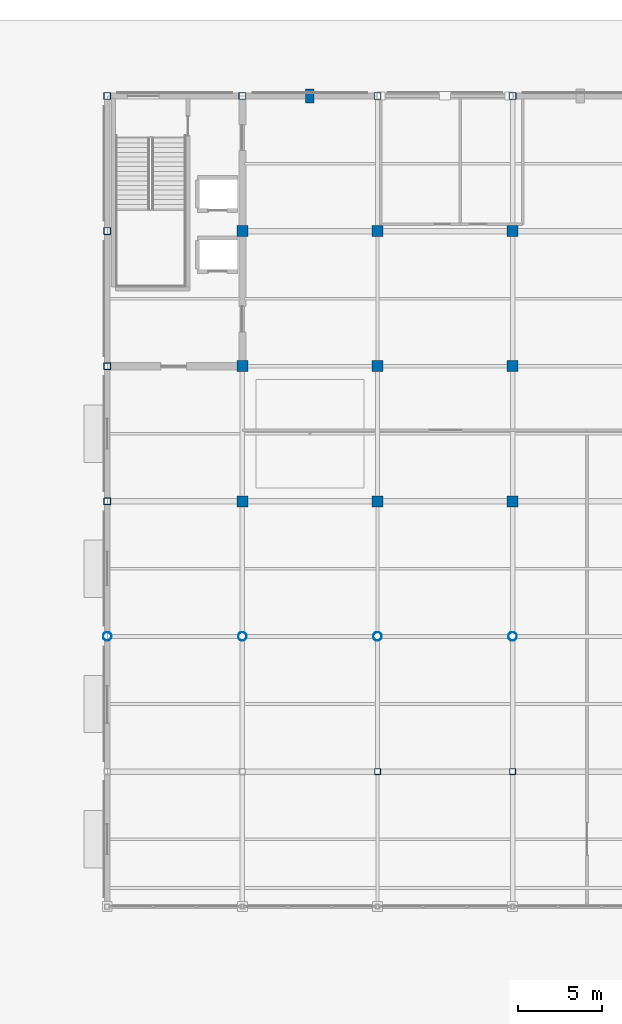
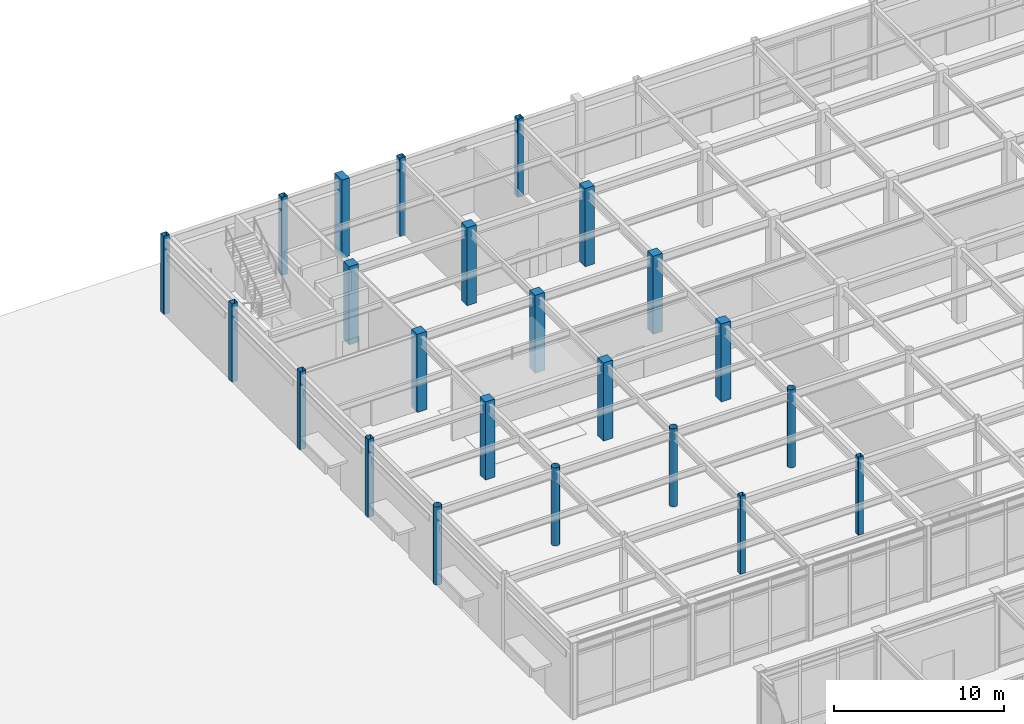
# One storey, part 15 of 128: 23 columns.
"""IFC4 building model written with IfcOpenShell, lengths in metres."""

import ifcopenshell
import ifcopenshell.guid

model = None  # the IFC model being written
_history = None  # IfcOwnerHistory: only IFC2X3 demands one
_inside = {}  # id of a spatial element -> (the spatial element, [elements in it])
_under = {}  # id of a project, library or spatial element -> (it, [spatial elements below it])
_declared = {}  # id of a project -> (the project, [libraries it declares])
_typed = {}  # id of a type object -> (the type object, [elements of that type])
_made_of = {}  # id of a material, layer set ... -> (it, [elements and type objects made of it])


def new_model(schema):
    """Start an empty IFC model of exactly this schema.

    Asked for "IFC4X3", IfcOpenShell would pick the latest addendum, in which some entities
    have other attributes; the version numbers below select the first issue.
    IFC2X3 requires an IfcOwnerHistory on every rooted entity: one is made here for all.
    """
    global model, _history
    if schema == "IFC4X3":
        model = ifcopenshell.file(schema_version=(4, 3, 0, 0))
    else:
        model = ifcopenshell.file(schema=schema)
    _inside.clear()
    _under.clear()
    _declared.clear()
    _typed.clear()
    _made_of.clear()
    _history = None
    if model.schema == "IFC2X3":
        org = make("IfcOrganization", Name="unknown")
        user = make(
            "IfcPersonAndOrganization",
            ThePerson=make("IfcPerson", FamilyName="unknown"),
            TheOrganization=org,
        )
        app = make(
            "IfcApplication",
            ApplicationDeveloper=org,
            Version="unknown",
            ApplicationFullName="unknown",
            ApplicationIdentifier="unknown",
        )
        _history = make(
            "IfcOwnerHistory",
            OwningUser=user,
            OwningApplication=app,
            ChangeAction="ADDED",
            CreationDate=0,
        )
    return model


def make(cls, **values):
    """One entity of the class cls with the attributes given. An attribute that is None is left unset."""
    return model.create_entity(
        cls, **{name: value for name, value in values.items() if value is not None}
    )


def rooted(cls, **values):
    """An entity with a GlobalId (a new one), such as an element, a storey or a relation."""
    return make(cls, GlobalId=ifcopenshell.guid.new(), OwnerHistory=_history, **values)


def si_unit(unit_type, name, prefix=None):
    """IfcSIUnit, for example si_unit("LENGTHUNIT", "METRE", prefix="MILLI")."""
    return make("IfcSIUnit", UnitType=unit_type, Prefix=prefix, Name=name)


def assignment(units):
    """IfcUnitAssignment: the units of a project."""
    return None if units is None else make("IfcUnitAssignment", Units=units)


def point(xyz):
    """IfcCartesianPoint."""
    return None if xyz is None else make("IfcCartesianPoint", Coordinates=xyz)


def direction(xyz):
    """IfcDirection."""
    return None if xyz is None else make("IfcDirection", DirectionRatios=xyz)


def frame(location, z_axis=None, x_axis=None):
    """IfcAxis2Placement3D, a coordinate frame: its origin and axes. An axis left out is left unset."""
    return make(
        "IfcAxis2Placement3D",
        Location=point(location),
        Axis=direction(z_axis),
        RefDirection=direction(x_axis),
    )


def frame_2d(location, x_axis=None):
    """IfcAxis2Placement2D, a coordinate frame in the plane: its origin and x axis."""
    return make(
        "IfcAxis2Placement2D", Location=point(location), RefDirection=direction(x_axis)
    )


def origin():
    """The frame at (0, 0, 0) with its axes left unset."""
    return frame((0.0, 0.0, 0.0))


def origin_2d():
    """The frame at (0, 0) in the plane with its x axis left unset."""
    return frame_2d((0.0, 0.0))


def place(relative_to, where):
    """IfcLocalPlacement: puts the frame where relative to a parent placement (None: the world)."""
    return make(
        "IfcLocalPlacement", PlacementRelTo=relative_to, RelativePlacement=where
    )


def context(
    kind, dimensions, precision=None, world=None, true_north=None, identifier=None
):
    """IfcGeometricRepresentationContext, for example the 3D "Model" context."""
    return make(
        "IfcGeometricRepresentationContext",
        ContextIdentifier=identifier,
        ContextType=kind,
        CoordinateSpaceDimension=dimensions,
        Precision=precision,
        WorldCoordinateSystem=world,
        TrueNorth=true_north,
    )


def subcontext(parent, identifier, kind, view, scale=None):
    """IfcGeometricRepresentationSubContext, for example "Body" below "Model"."""
    return make(
        "IfcGeometricRepresentationSubContext",
        ContextIdentifier=identifier,
        ContextType=kind,
        ParentContext=parent,
        TargetScale=scale,
        TargetView=view,
    )


def project(units=None, contexts=None):
    """IfcProject with its units and contexts."""
    return rooted(
        "IfcProject",
        Name="project",
        RepresentationContexts=contexts,
        UnitsInContext=assignment(units),
    )


def spatial(cls, under=None, at=None, **own):
    """A site, building, storey or space (cls), placed at a placement, below another one or the project."""
    s = rooted(cls, ObjectPlacement=at, **own)
    if under is not None:
        _under.setdefault(under.id(), (under, []))[1].append(s)
    return s


def profile(cls, at=None, kind="AREA", **sizes):
    """A parametric profile (cls). Its sizes go by their IFC names, for example OverallWidth=200.0."""
    return make(cls, ProfileType=kind, Position=at, **sizes)


def rectangle(**sizes):
    """IfcRectangleProfileDef."""
    return profile("IfcRectangleProfileDef", **sizes)


def hollow_rectangle(**sizes):
    """IfcRectangleHollowProfileDef."""
    return profile("IfcRectangleHollowProfileDef", **sizes)


def hollow_circle(**sizes):
    """IfcCircleHollowProfileDef."""
    return profile("IfcCircleHollowProfileDef", **sizes)


def extrude(swept, where, along, depth):
    """IfcExtrudedAreaSolid: the profile swept, set in the frame where, extruded along a direction by depth."""
    return make(
        "IfcExtrudedAreaSolid",
        SweptArea=swept,
        Position=where,
        ExtrudedDirection=direction(along),
        Depth=depth,
    )


def shape(context_of_items, identifier, shape_type, items):
    """IfcShapeRepresentation: the items that make up one representation, for example the "Body"."""
    return make(
        "IfcShapeRepresentation",
        ContextOfItems=context_of_items,
        RepresentationIdentifier=identifier,
        RepresentationType=shape_type,
        Items=items,
    )


def material(Name=None, Category=None):
    """IfcMaterial."""
    return make("IfcMaterial", Name=Name, Category=Category)


def material_profile(
    of_material, cross_section, Name=None, Category=None, Priority=None
):
    """IfcMaterialProfile: a cross section and its material."""
    return make(
        "IfcMaterialProfile",
        Name=Name,
        Material=of_material,
        Profile=cross_section,
        Priority=Priority,
        Category=Category,
    )


def profile_set(profiles, Name=None, composite=None):
    """IfcMaterialProfileSet."""
    return make(
        "IfcMaterialProfileSet",
        Name=Name,
        MaterialProfiles=profiles,
        CompositeProfile=composite,
    )


def made_of(thing, what):
    """Note that an element or type object is made of a material, layer set ...; save() writes the relation."""
    if what is not None:
        _made_of.setdefault(what.id(), (what, []))[1].append(thing)
    return thing


def type_object(cls, material=None, **own):
    """A type object (cls), such as IfcWallType, which elements share."""
    return made_of(rooted(cls, **own), material)


def element(
    cls,
    number,
    at=None,
    inside=None,
    cuts=None,
    type_object=None,
    material=None,
    context=None,
    identifier="Body",
    shape_type=None,
    held_by="IfcProductDefinitionShape",
    body=None,
    shapes=None,
    **own,
):
    """One element of the class cls, such as IfcWall. Its Tag is "e" and its number.

    at: its placement. inside: the storey or other place that contains it. cuts: it is an
    opening in that element (IfcRelVoidsElement). A single representation is given by context,
    identifier, shape_type and body (its items); several are given by shapes. held_by: the class
    of the entity that holds the representations. save() writes the other relations.
    """
    e = rooted(cls, Tag="e%d" % number, ObjectPlacement=at, **own)
    if body is not None:
        shapes = [shape(context, identifier, shape_type, body)]
    if shapes is not None:
        e.Representation = make(held_by, Representations=shapes)
    if inside is not None:
        _inside.setdefault(inside.id(), (inside, []))[1].append(e)
    if cuts is not None:
        rooted(
            "IfcRelVoidsElement", RelatingBuildingElement=cuts, RelatedOpeningElement=e
        )
    if type_object is not None:
        _typed.setdefault(type_object.id(), (type_object, []))[1].append(e)
    return made_of(e, material)


def aggregate(whole, parts):
    """IfcRelAggregates: a whole, such as a stair, and the parts it consists of."""
    return rooted("IfcRelAggregates", RelatingObject=whole, RelatedObjects=parts)


def save(model, path):
    """Write the relations noted so far, then the file.

    IfcRelAggregates (storeys below a building ...), IfcRelContainedInSpatialStructure (elements
    in a storey), IfcRelDefinesByType, IfcRelAssociatesMaterial and IfcRelDeclares: one each for
    every whole, place, type object, material and project.
    """
    for whole, parts in _under.values():
        aggregate(whole, parts)
    for where, things in _inside.values():
        rooted(
            "IfcRelContainedInSpatialStructure",
            RelatedElements=things,
            RelatingStructure=where,
        )
    for kind, things in _typed.values():
        rooted("IfcRelDefinesByType", RelatedObjects=things, RelatingType=kind)
    for what, things in _made_of.values():
        rooted("IfcRelAssociatesMaterial", RelatedObjects=things, RelatingMaterial=what)
    for by, libraries in _declared.values():
        rooted("IfcRelDeclares", RelatingContext=by, RelatedDefinitions=libraries)
    model.write(path)


model = new_model("IFC4")

# Units and contexts
model_context = context("Model", 3, precision=1e-05, world=origin(), true_north=direction((0.0, 1.0)))
body_context = subcontext(model_context, "Body", "Model", "MODEL_VIEW")
ifc_project = project(units=[si_unit("LENGTHUNIT", "METRE"), si_unit("AREAUNIT", "SQUARE_METRE"), si_unit("VOLUMEUNIT", "CUBIC_METRE"), si_unit("PLANEANGLEUNIT", "RADIAN"), si_unit("MASSUNIT", "GRAM", prefix="KILO")], contexts=[model_context])

# Site, building, storey
site_placement = place(None, origin())
site = spatial("IfcSite", under=ifc_project, at=site_placement, CompositionType="ELEMENT")
building_placement = place(site_placement, origin())
building = spatial("IfcBuilding", under=site, at=building_placement, Name="Solmirada Galleria", CompositionType="ELEMENT")
storey_placement = place(building_placement, origin())
storey = spatial("IfcBuildingStorey", under=building, at=storey_placement, Name="L00", CompositionType="ELEMENT", Elevation=0.0)

# Columns
ifc_material_1 = material(Name="Steel S355 / ASTM A500 Grade C", Category="steel")
ifc_material_profile_1 = material_profile(ifc_material_1, hollow_circle(Radius=0.25390625, WallThickness=0.01171875, at=origin_2d()), Name="HSS20.000X0.500")
ifc_profile_set_1 = profile_set([ifc_material_profile_1], Name="Steel S355 / ASTM A500 Grade C")
column_type_1 = type_object("IfcColumnType", Name="COL-CHS20", PredefinedType="COLUMN", material=ifc_profile_set_1)
for number, where, z_axis, x_axis, name in (
    (1, (40.0, 88.0, 0.0), (0.0, 0.0, 1.0), (1.0, 0.0, 0.0), "Structural column L00-0046"),
    (2, (48.0, 88.0, 0.0), (0.0, 0.0, 1.0), (1.0, 0.0, 0.0), "Structural column L00-0113"),
    (3, (56.0, 88.0, 0.0), (0.0, 0.0, 1.0), (1.0, 0.0, 0.0), "Structural column L00-0180"),
    (4, (64.0, 88.0, 0.0), (0.0, 0.0, 1.0), (1.0, 0.0, 0.0), "Structural column L00-0244"),
):
    element("IfcColumn", number, at=place(storey_placement, frame(where, z_axis=z_axis, x_axis=x_axis)), inside=storey, type_object=column_type_1, Name=name, PredefinedType="COLUMN", context=body_context, shape_type="SweptSolid", body=[
        extrude(hollow_circle(Radius=0.25390625, WallThickness=0.01171875, at=origin_2d()), origin(), (0.0, 0.0, 1.0), 5.60009765625),
    ])
ifc_material_profile_2 = material_profile(ifc_material_1, hollow_rectangle(XDim=0.35595703125, YDim=0.35595703125, WallThickness=0.01171875, InnerFilletRadius=0.01171875, OuterFilletRadius=0.023681640625, at=origin_2d()), Name="HSS14X14X1/2")
ifc_profile_set_2 = profile_set([ifc_material_profile_2], Name="Steel S355 / ASTM A500 Grade C")
column_type_2 = type_object("IfcColumnType", Name="COL-HSS14", PredefinedType="COLUMN", material=ifc_profile_set_2)
for number, where, z_axis, x_axis, name in (
    (5, (56.0, 80.0, 0.0), (0.0, 0.0, 1.0), (1.0, 0.0, 0.0), "Structural column L00-0176"),
    (6, (64.0, 80.0, 0.0), (0.0, 0.0, 1.0), (1.0, 0.0, 0.0), "Structural column L00-0240"),
):
    element("IfcColumn", number, at=place(storey_placement, frame(where, z_axis=z_axis, x_axis=x_axis)), inside=storey, type_object=column_type_2, Name=name, PredefinedType="COLUMN", context=body_context, shape_type="SweptSolid", body=[
        extrude(hollow_rectangle(XDim=0.35595703125, YDim=0.35595703125, WallThickness=0.01171875, InnerFilletRadius=0.01171875, OuterFilletRadius=0.023681640625, at=origin_2d()), origin(), (0.0, 0.0, 1.0), 5.60009765625),
    ])
ifc_material_profile_3 = material_profile(ifc_material_1, hollow_rectangle(XDim=0.406005859375, YDim=0.406005859375, WallThickness=0.0146484375, InnerFilletRadius=0.0146484375, OuterFilletRadius=0.029296875, at=origin_2d()), Name="HSS16X16X5/8")
ifc_profile_set_3 = profile_set([ifc_material_profile_3], Name="Steel S355 / ASTM A500 Grade C")
column_type_3 = type_object("IfcColumnType", Name="COL-HSS16", PredefinedType="COLUMN", material=ifc_profile_set_3)
for number, where, z_axis, x_axis, name in (
    (7, (40.0, 96.0, 0.0), (0.0, 0.0, 1.0), (1.0, 0.0, 0.0), "Structural column L00-0053"),
    (8, (40.0, 104.0, 0.0), (0.0, 0.0, 1.0), (1.0, 0.0, 0.0), "Structural column L00-0060"),
    (9, (40.0, 112.0, 0.0), (0.0, 0.0, 1.0), (1.0, 0.0, 0.0), "Structural column L00-0067"),
    (10, (40.0, 120.0, 0.0), (0.0, 0.0, 1.0), (1.0, 0.0, 0.0), "Structural column L00-0074"),
    (11, (48.0, 120.0, 0.0), (0.0, 0.0, 1.0), (1.0, 0.0, 0.0), "Structural column L00-0141"),
    (12, (56.0, 120.0, 0.0), (0.0, 0.0, 1.0), (1.0, 0.0, 0.0), "Structural column L00-0208"),
    (13, (64.0, 120.0, 0.0), (0.0, 0.0, 1.0), (1.0, 0.0, 0.0), "Structural column L00-0272"),
):
    element("IfcColumn", number, at=place(storey_placement, frame(where, z_axis=z_axis, x_axis=x_axis)), inside=storey, type_object=column_type_3, Name=name, PredefinedType="COLUMN", context=body_context, shape_type="SweptSolid", body=[
        extrude(hollow_rectangle(XDim=0.406005859375, YDim=0.406005859375, WallThickness=0.0146484375, InnerFilletRadius=0.0146484375, OuterFilletRadius=0.029296875, at=origin_2d()), origin(), (0.0, 0.0, 1.0), 5.60009765625),
    ])
ifc_material_2 = material(Name="Concrete C40/50", Category="concrete")
ifc_material_profile_4 = material_profile(ifc_material_2, rectangle(XDim=0.64990234375, YDim=0.64990234375, at=origin_2d()), Name="RC650X650")
ifc_profile_set_4 = profile_set([ifc_material_profile_4], Name="Concrete C40/50")
column_type_4 = type_object("IfcColumnType", Name="COL-RC650", PredefinedType="COLUMN", material=ifc_profile_set_4)
for number, where, z_axis, x_axis, name in (
    (14, (48.0, 96.0, 0.0), (0.0, 0.0, 1.0), (1.0, 0.0, 0.0), "Structural column L00-0120"),
    (15, (48.0, 104.0, 0.0), (0.0, 0.0, 1.0), (1.0, 0.0, 0.0), "Structural column L00-0127"),
    (16, (48.0, 112.0, 0.0), (0.0, 0.0, 1.0), (1.0, 0.0, 0.0), "Structural column L00-0134"),
    (17, (56.0, 96.0, 0.0), (0.0, 0.0, 1.0), (1.0, 0.0, 0.0), "Structural column L00-0187"),
    (18, (56.0, 104.0, 0.0), (0.0, 0.0, 1.0), (1.0, 0.0, 0.0), "Structural column L00-0194"),
    (19, (56.0, 112.0, 0.0), (0.0, 0.0, 1.0), (1.0, 0.0, 0.0), "Structural column L00-0201"),
    (20, (64.0, 96.0, 0.0), (0.0, 0.0, 1.0), (1.0, 0.0, 0.0), "Structural column L00-0251"),
    (21, (64.0, 104.0, 0.0), (0.0, 0.0, 1.0), (1.0, 0.0, 0.0), "Structural column L00-0258"),
    (22, (64.0, 112.0, 0.0), (0.0, 0.0, 1.0), (1.0, 0.0, 0.0), "Structural column L00-0265"),
):
    element("IfcColumn", number, at=place(storey_placement, frame(where, z_axis=z_axis, x_axis=x_axis)), inside=storey, type_object=column_type_4, Name=name, PredefinedType="COLUMN", context=body_context, shape_type="SweptSolid", body=[
        extrude(rectangle(XDim=0.64990234375, YDim=0.64990234375, at=origin_2d()), origin(), (0.0, 0.0, 1.0), 5.60009765625),
    ])
ifc_material_3 = material(Name="Precast concrete C40/50", Category="concrete")
ifc_material_profile_5 = material_profile(ifc_material_3, rectangle(XDim=0.5, YDim=0.85009765625, at=origin_2d()), Name="RC850X500")
ifc_profile_set_5 = profile_set([ifc_material_profile_5], Name="Precast concrete C40/50")
column_type_5 = type_object("IfcColumnType", Name="PIL-RC850", PredefinedType="PILASTER", material=ifc_profile_set_5)
column_placement = place(storey_placement, frame((52.0, 120.0, 0.0), z_axis=(0.0, 0.0, 1.0), x_axis=(1.0, 0.0, 0.0)))
element("IfcColumn", 23, at=column_placement, inside=storey, type_object=column_type_5, Name="Avenue pilaster L00-002", PredefinedType="PILASTER", context=body_context, shape_type="SweptSolid", body=[
    extrude(rectangle(XDim=0.5, YDim=0.85009765625, at=origin_2d()), origin(), (0.0, 0.0, 1.0), 5.60009765625),
])

save(model, "model.ifc")
